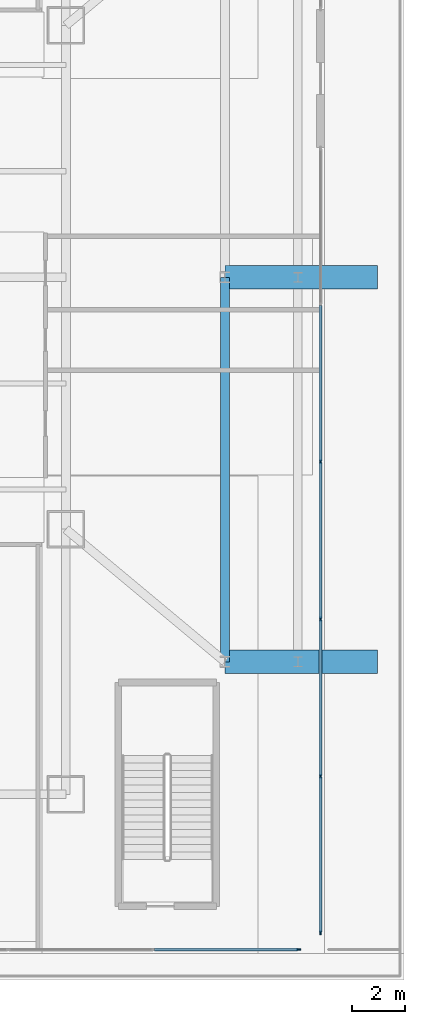
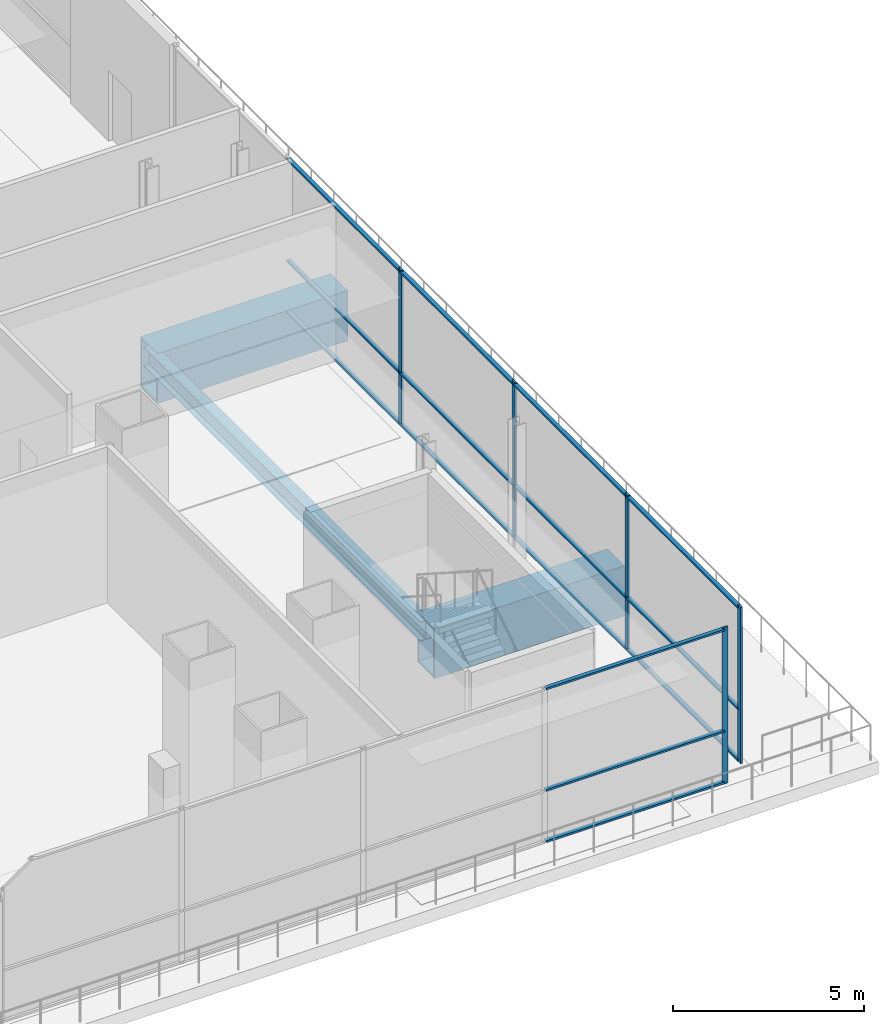
# One storey, part 17 of 36: 20 members, 3 beams, 2 elements without a shape of their own.
"""IFC4 building model written with IfcOpenShell, lengths in metres."""

from ifc_helpers import new_model, si_unit, direction, frame, origin, origin_2d, place, context, subcontext, project, spatial, rectangle, hollow_rectangle, i_section, extrude, material, layer, layer_set, material_profile, profile_set, type_object, element, aggregate, save


model = new_model("IFC4")

# Units and contexts
model_context = context("Model", 3, precision=1e-05, world=origin(), true_north=direction((0.0, 1.0)))
body_context = subcontext(model_context, "Body", "Model", "MODEL_VIEW")
ifc_project = project(units=[si_unit("LENGTHUNIT", "METRE"), si_unit("AREAUNIT", "SQUARE_METRE"), si_unit("VOLUMEUNIT", "CUBIC_METRE"), si_unit("PLANEANGLEUNIT", "RADIAN"), si_unit("MASSUNIT", "GRAM", prefix="KILO")], contexts=[model_context])

# Site, building, storey
site_placement = place(None, origin())
site = spatial("IfcSite", under=ifc_project, at=site_placement, CompositionType="ELEMENT")
building_placement = place(site_placement, origin())
building = spatial("IfcBuilding", under=site, at=building_placement, Name="Trevonay Congress Spire", CompositionType="ELEMENT")
storey_placement = place(building_placement, frame((0.0, 0.0, 16.199951171875)))
storey = spatial("IfcBuildingStorey", under=building, at=storey_placement, Name="L03", CompositionType="ELEMENT", Elevation=16.199951171875)

# Beams
ifc_material_1 = material(Name="Steel ASTM A572 Grade 50", Category="steel")
ifc_material_profile_1 = material_profile(ifc_material_1, i_section(OverallWidth=0.324951171875, OverallDepth=0.615966796875, WebThickness=0.013916015625, FlangeThickness=0.021484375, FilletRadius=0.01806640625, at=origin_2d()), Name="W610x174")
ifc_profile_set_1 = profile_set([ifc_material_profile_1], Name="Steel ASTM A572 Grade 50")
beam_type_1 = type_object("IfcBeamType", Name="BM-GIRD-W610X174", PredefinedType="BEAM", material=ifc_profile_set_1)
beam_placement = place(storey_placement, frame((29.25, -14.5, -0.7080078125), z_axis=(0.0, 1.0, 0.0), x_axis=(-1.0, 0.0, 0.0)))
element("IfcBeam", 1, at=beam_placement, inside=storey, type_object=beam_type_1, Name="L03 structural beam BM-L03-POD-EL", PredefinedType="BEAM", context=body_context, shape_type="SweptSolid", body=[
    extrude(i_section(OverallWidth=0.324951171875, OverallDepth=0.615966796875, WebThickness=0.013916015625, FlangeThickness=0.021484375, FilletRadius=0.01806640625, at=origin_2d()), origin(), (0.0, 0.0, 1.0), 14.5),
])
ifc_material_profile_2 = material_profile(ifc_material_1, hollow_rectangle(XDim=0.89990234375, YDim=1.60009765625, WallThickness=0.06005859375, at=origin_2d()), Name="BOX 1600x900x60")
ifc_profile_set_2 = profile_set([ifc_material_profile_2], Name="Steel ASTM A572 Grade 50")
beam_type_2 = type_object("IfcBeamType", Name="BM-XFER-BOX1600", PredefinedType="BEAM", material=ifc_profile_set_2)
for number, where, z_axis, x_axis, name in (
    (2, (29.25, -14.5, -1.199951171875), (1.0, 0.0, 0.0), (0.0, 1.0, 0.0), "L03 structural beam BM-L03-EXE-S"),
    (3, (29.25, 0.0, -1.199951171875), (1.0, 0.0, 0.0), (0.0, 1.0, 0.0), "L03 structural beam BM-L03-EXE-C"),
):
    element("IfcBeam", number, at=place(storey_placement, frame(where, z_axis=z_axis, x_axis=x_axis)), inside=storey, type_object=beam_type_2, Name=name, PredefinedType="BEAM", context=body_context, shape_type="SweptSolid", body=[
        extrude(hollow_rectangle(XDim=0.89990234375, YDim=1.60009765625, WallThickness=0.06005859375, at=origin_2d()), origin(), (0.0, 0.0, 1.0), 5.75),
    ])

# Curtain wall, members
ifc_material_2 = material(Name="Pale Anodised Aluminium EN AW-6063-T6", Category="aluminium")
ifc_layer = layer(ifc_material_2, 0.179931640625, Name="Pale Anodised Aluminium EN AW-6063-T6")
ifc_layer_set = layer_set([ifc_layer], Name="Pale Anodised Aluminium EN AW-6063-T6")
curtain_wall_type = type_object("IfcCurtainWallType", Name="CW-SYS01-PODIUM-PALE-METAL", PredefinedType="NOTDEFINED", material=ifc_layer_set)
curtain_wall_1_placement = place(storey_placement, origin())
curtain_wall_1 = element("IfcCurtainWall", 4, at=curtain_wall_1_placement, inside=storey, type_object=curtain_wall_type, Name="L03 E1 podium curtain wall", PredefinedType="NOTDEFINED")
ifc_material_profile_3 = material_profile(ifc_material_2, rectangle(XDim=0.06005859375, YDim=0.159912109375, at=origin_2d()), Name="CW-MULLION-160-ALUMINIUM")
ifc_profile_set_3 = profile_set([ifc_material_profile_3], Name="Pale Anodised Aluminium EN AW-6063-T6")
member_type_1 = type_object("IfcMemberType", Name="CW-MULLION-160-ALUMINIUM", PredefinedType="MULLION", material=ifc_profile_set_3)
member_1_placement = place(storey_placement, frame((32.85009765625, -24.719970703125, 0.0), z_axis=(0.0, 0.0, 1.0), x_axis=(-1.0, 0.0, 0.0)))
member_1 = element("IfcMember", 5, at=member_1_placement, type_object=member_type_1, Name="CW01 mullion 1", PredefinedType="MULLION", context=body_context, shape_type="SweptSolid", body=[
    extrude(rectangle(XDim=0.06005859375, YDim=0.159912109375, at=origin_2d()), origin(), (0.0, 0.0, 1.0), 5.0),
])
member_2_placement = place(storey_placement, frame((32.85009765625, -18.820068359375, 0.0), z_axis=(0.0, 0.0, 1.0), x_axis=(-1.0, 0.0, 0.0)))
member_2 = element("IfcMember", 6, at=member_2_placement, type_object=member_type_1, Name="CW01 mullion 2", PredefinedType="MULLION", context=body_context, shape_type="SweptSolid", body=[
    extrude(rectangle(XDim=0.06005859375, YDim=0.159912109375, at=origin_2d()), origin(), (0.0, 0.0, 1.0), 5.0),
])
member_3_placement = place(storey_placement, frame((32.85009765625, -12.889892578125, 0.0), z_axis=(0.0, 0.0, 1.0), x_axis=(-1.0, 0.0, 0.0)))
member_3 = element("IfcMember", 7, at=member_3_placement, type_object=member_type_1, Name="CW01 mullion 3", PredefinedType="MULLION", context=body_context, shape_type="SweptSolid", body=[
    extrude(rectangle(XDim=0.06005859375, YDim=0.159912109375, at=origin_2d()), origin(), (0.0, 0.0, 1.0), 5.0),
])
member_4_placement = place(storey_placement, frame((32.85009765625, -6.9599609375, 0.0), z_axis=(0.0, 0.0, 1.0), x_axis=(-1.0, 0.0, 0.0)))
member_4 = element("IfcMember", 8, at=member_4_placement, type_object=member_type_1, Name="CW01 mullion 4", PredefinedType="MULLION", context=body_context, shape_type="SweptSolid", body=[
    extrude(rectangle(XDim=0.06005859375, YDim=0.159912109375, at=origin_2d()), origin(), (0.0, 0.0, 1.0), 5.0),
])

# Curtain wall, member
curtain_wall_2_placement = place(storey_placement, origin())
curtain_wall_2 = element("IfcCurtainWall", 9, at=curtain_wall_2_placement, inside=storey, type_object=curtain_wall_type, Name="L03 S2 podium curtain wall", PredefinedType="NOTDEFINED")
member_5_placement = place(storey_placement, frame((32.02001953125, -25.35009765625, 0.0), z_axis=(0.0, 0.0, 1.0), x_axis=(0.0, 1.0, 0.0)))
member_5 = element("IfcMember", 10, at=member_5_placement, type_object=member_type_1, Name="CW01 mullion 5", PredefinedType="MULLION", context=body_context, shape_type="SweptSolid", body=[
    extrude(rectangle(XDim=0.06005859375, YDim=0.159912109375, at=origin_2d()), origin(), (0.0, 0.0, 1.0), 5.0),
])

# Member
ifc_material_profile_4 = material_profile(ifc_material_2, rectangle(XDim=0.1201171875, YDim=0.06005859375, at=origin_2d()), Name="CW-TRANSOM-120-ALUMINIUM")
ifc_profile_set_4 = profile_set([ifc_material_profile_4], Name="Pale Anodised Aluminium EN AW-6063-T6")
member_type_2 = type_object("IfcMemberType", Name="CW-TRANSOM-120-ALUMINIUM", PredefinedType="USERDEFINED", material=ifc_profile_set_4)
member_6_placement = place(storey_placement, frame((32.85009765625, -24.68994140625, 0.06005859375), z_axis=(0.0, 1.0, 0.0), x_axis=(-1.0, 0.0, 0.0)))
member_6 = element("IfcMember", 11, at=member_6_placement, type_object=member_type_2, Name="CW01 transom 1.1", ObjectType="TRANSOM", PredefinedType="USERDEFINED", context=body_context, shape_type="SweptSolid", body=[
    extrude(rectangle(XDim=0.1201171875, YDim=0.06005859375, at=origin_2d()), origin(), (0.0, 0.0, 1.0), 5.83984375),
])

member_7_placement = place(storey_placement, frame((32.85009765625, -24.68994140625, 1.699951171875), z_axis=(0.0, 1.0, 0.0), x_axis=(-1.0, 0.0, 0.0)))
member_7 = element("IfcMember", 12, at=member_7_placement, type_object=member_type_2, Name="CW01 transom 1.2", ObjectType="TRANSOM", PredefinedType="USERDEFINED", context=body_context, shape_type="SweptSolid", body=[
    extrude(rectangle(XDim=0.1201171875, YDim=0.06005859375, at=origin_2d()), origin(), (0.0, 0.0, 1.0), 5.83984375),
])

member_8_placement = place(storey_placement, frame((32.85009765625, -24.68994140625, 4.93994140625), z_axis=(0.0, 1.0, 0.0), x_axis=(-1.0, 0.0, 0.0)))
member_8 = element("IfcMember", 13, at=member_8_placement, type_object=member_type_2, Name="CW01 transom 1.3", ObjectType="TRANSOM", PredefinedType="USERDEFINED", context=body_context, shape_type="SweptSolid", body=[
    extrude(rectangle(XDim=0.1201171875, YDim=0.06005859375, at=origin_2d()), origin(), (0.0, 0.0, 1.0), 5.83984375),
])

member_9_placement = place(storey_placement, frame((32.85009765625, -18.7900390625, 0.06005859375), z_axis=(0.0, 1.0, 0.0), x_axis=(-1.0, 0.0, 0.0)))
member_9 = element("IfcMember", 14, at=member_9_placement, type_object=member_type_2, Name="CW01 transom 2.1", ObjectType="TRANSOM", PredefinedType="USERDEFINED", context=body_context, shape_type="SweptSolid", body=[
    extrude(rectangle(XDim=0.1201171875, YDim=0.06005859375, at=origin_2d()), origin(), (0.0, 0.0, 1.0), 5.8701171875),
])

member_10_placement = place(storey_placement, frame((32.85009765625, -18.7900390625, 1.699951171875), z_axis=(0.0, 1.0, 0.0), x_axis=(-1.0, 0.0, 0.0)))
member_10 = element("IfcMember", 15, at=member_10_placement, type_object=member_type_2, Name="CW01 transom 2.2", ObjectType="TRANSOM", PredefinedType="USERDEFINED", context=body_context, shape_type="SweptSolid", body=[
    extrude(rectangle(XDim=0.1201171875, YDim=0.06005859375, at=origin_2d()), origin(), (0.0, 0.0, 1.0), 5.8701171875),
])

member_11_placement = place(storey_placement, frame((32.85009765625, -18.7900390625, 4.93994140625), z_axis=(0.0, 1.0, 0.0), x_axis=(-1.0, 0.0, 0.0)))
member_11 = element("IfcMember", 16, at=member_11_placement, type_object=member_type_2, Name="CW01 transom 2.3", ObjectType="TRANSOM", PredefinedType="USERDEFINED", context=body_context, shape_type="SweptSolid", body=[
    extrude(rectangle(XDim=0.1201171875, YDim=0.06005859375, at=origin_2d()), origin(), (0.0, 0.0, 1.0), 5.8701171875),
])

member_12_placement = place(storey_placement, frame((32.85009765625, -12.860107421875, 0.06005859375), z_axis=(0.0, 1.0, 0.0), x_axis=(-1.0, 0.0, 0.0)))
member_12 = element("IfcMember", 17, at=member_12_placement, type_object=member_type_2, Name="CW01 transom 3.1", ObjectType="TRANSOM", PredefinedType="USERDEFINED", context=body_context, shape_type="SweptSolid", body=[
    extrude(rectangle(XDim=0.1201171875, YDim=0.06005859375, at=origin_2d()), origin(), (0.0, 0.0, 1.0), 5.8701171875),
])

member_13_placement = place(storey_placement, frame((32.85009765625, -12.860107421875, 1.699951171875), z_axis=(0.0, 1.0, 0.0), x_axis=(-1.0, 0.0, 0.0)))
member_13 = element("IfcMember", 18, at=member_13_placement, type_object=member_type_2, Name="CW01 transom 3.2", ObjectType="TRANSOM", PredefinedType="USERDEFINED", context=body_context, shape_type="SweptSolid", body=[
    extrude(rectangle(XDim=0.1201171875, YDim=0.06005859375, at=origin_2d()), origin(), (0.0, 0.0, 1.0), 5.8701171875),
])

member_14_placement = place(storey_placement, frame((32.85009765625, -12.860107421875, 4.93994140625), z_axis=(0.0, 1.0, 0.0), x_axis=(-1.0, 0.0, 0.0)))
member_14 = element("IfcMember", 19, at=member_14_placement, type_object=member_type_2, Name="CW01 transom 3.3", ObjectType="TRANSOM", PredefinedType="USERDEFINED", context=body_context, shape_type="SweptSolid", body=[
    extrude(rectangle(XDim=0.1201171875, YDim=0.06005859375, at=origin_2d()), origin(), (0.0, 0.0, 1.0), 5.8701171875),
])

member_15_placement = place(storey_placement, frame((32.85009765625, -6.929931640625, 0.06005859375), z_axis=(0.0, 1.0, 0.0), x_axis=(-1.0, 0.0, 0.0)))
member_15 = element("IfcMember", 20, at=member_15_placement, type_object=member_type_2, Name="CW01 transom 4.1", ObjectType="TRANSOM", PredefinedType="USERDEFINED", context=body_context, shape_type="SweptSolid", body=[
    extrude(rectangle(XDim=0.1201171875, YDim=0.06005859375, at=origin_2d()), origin(), (0.0, 0.0, 1.0), 5.869873046875),
])

member_16_placement = place(storey_placement, frame((32.85009765625, -6.929931640625, 1.699951171875), z_axis=(0.0, 1.0, 0.0), x_axis=(-1.0, 0.0, 0.0)))
member_16 = element("IfcMember", 21, at=member_16_placement, type_object=member_type_2, Name="CW01 transom 4.2", ObjectType="TRANSOM", PredefinedType="USERDEFINED", context=body_context, shape_type="SweptSolid", body=[
    extrude(rectangle(XDim=0.1201171875, YDim=0.06005859375, at=origin_2d()), origin(), (0.0, 0.0, 1.0), 5.869873046875),
])

member_17_placement = place(storey_placement, frame((32.85009765625, -6.929931640625, 4.93994140625), z_axis=(0.0, 1.0, 0.0), x_axis=(-1.0, 0.0, 0.0)))
member_17 = element("IfcMember", 22, at=member_17_placement, type_object=member_type_2, Name="CW01 transom 4.3", ObjectType="TRANSOM", PredefinedType="USERDEFINED", context=body_context, shape_type="SweptSolid", body=[
    extrude(rectangle(XDim=0.1201171875, YDim=0.06005859375, at=origin_2d()), origin(), (0.0, 0.0, 1.0), 5.869873046875),
])

aggregate(curtain_wall_1, [member_1, member_2, member_3, member_4, member_6, member_7, member_8, member_9, member_10, member_11, member_12, member_13, member_14, member_15, member_16, member_17])

member_18_placement = place(storey_placement, frame((26.592529296875, -25.35009765625, 0.06005859375), z_axis=(1.0, 0.0, 0.0), x_axis=(0.0, 1.0, 0.0)))
member_18 = element("IfcMember", 23, at=member_18_placement, type_object=member_type_2, Name="CW01 transom 4.1", ObjectType="TRANSOM", PredefinedType="USERDEFINED", context=body_context, shape_type="SweptSolid", body=[
    extrude(rectangle(XDim=0.1201171875, YDim=0.06005859375, at=origin_2d()), origin(), (0.0, 0.0, 1.0), 5.3974609375),
])

member_19_placement = place(storey_placement, frame((26.592529296875, -25.35009765625, 1.699951171875), z_axis=(1.0, 0.0, 0.0), x_axis=(0.0, 1.0, 0.0)))
member_19 = element("IfcMember", 24, at=member_19_placement, type_object=member_type_2, Name="CW01 transom 4.2", ObjectType="TRANSOM", PredefinedType="USERDEFINED", context=body_context, shape_type="SweptSolid", body=[
    extrude(rectangle(XDim=0.1201171875, YDim=0.06005859375, at=origin_2d()), origin(), (0.0, 0.0, 1.0), 5.3974609375),
])

member_20_placement = place(storey_placement, frame((26.592529296875, -25.35009765625, 4.93994140625), z_axis=(1.0, 0.0, 0.0), x_axis=(0.0, 1.0, 0.0)))
member_20 = element("IfcMember", 25, at=member_20_placement, type_object=member_type_2, Name="CW01 transom 4.3", ObjectType="TRANSOM", PredefinedType="USERDEFINED", context=body_context, shape_type="SweptSolid", body=[
    extrude(rectangle(XDim=0.1201171875, YDim=0.06005859375, at=origin_2d()), origin(), (0.0, 0.0, 1.0), 5.3974609375),
])

aggregate(curtain_wall_2, [member_5, member_18, member_19, member_20])

save(model, "model.ifc")
